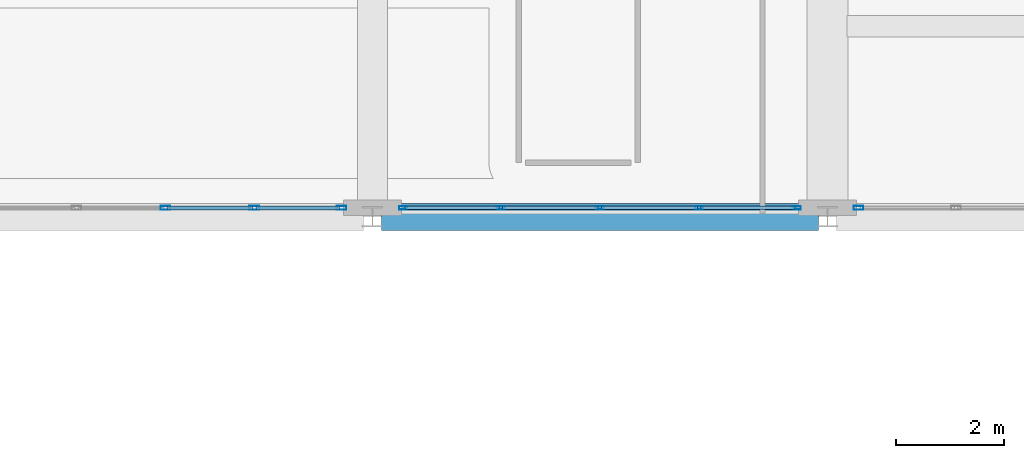
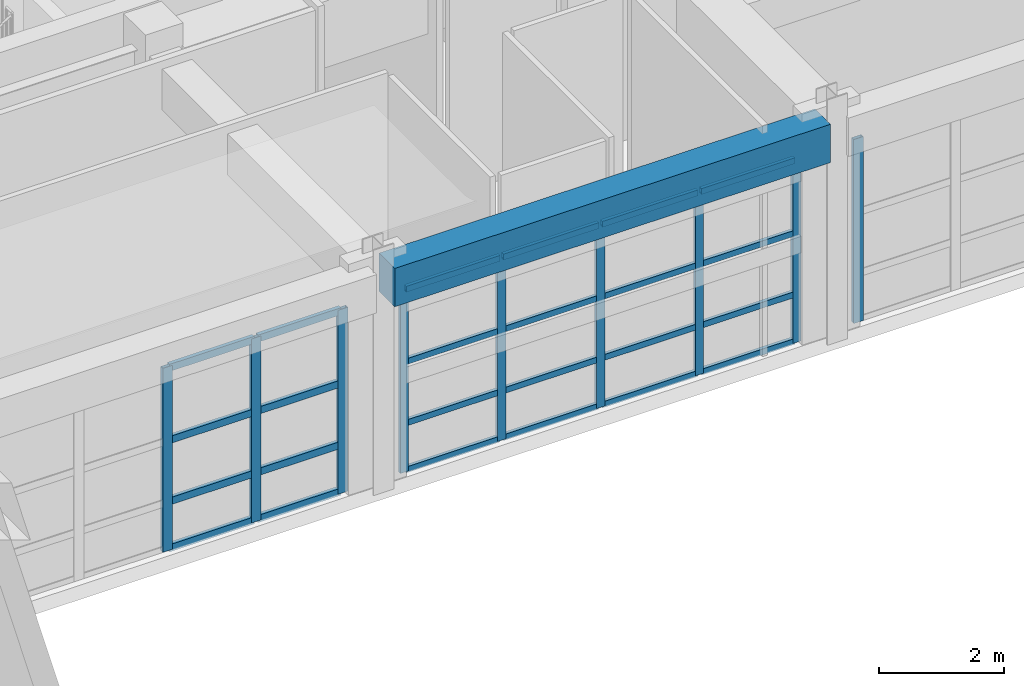
# One storey, part 60 of 123: 33 members, 1 beam, 3 elements without a shape of their own.
"""IFC4 building model written with IfcOpenShell, lengths in metres."""

from ifc_helpers import new_model, si_unit, direction, frame, origin, origin_2d, place, context, subcontext, project, spatial, rectangle, hollow_rectangle, extrude, material, layer, layer_set, material_profile, profile_set, type_object, element, aggregate, save


model = new_model("IFC4")

# Units and contexts
model_context = context("Model", 3, precision=1e-05, world=origin(), true_north=direction((0.0, 1.0)))
body_context = subcontext(model_context, "Body", "Model", "MODEL_VIEW")
ifc_project = project(units=[si_unit("LENGTHUNIT", "METRE"), si_unit("AREAUNIT", "SQUARE_METRE"), si_unit("VOLUMEUNIT", "CUBIC_METRE"), si_unit("PLANEANGLEUNIT", "RADIAN"), si_unit("MASSUNIT", "GRAM", prefix="KILO")], contexts=[model_context])

# Site, building, storey
site_placement = place(None, origin())
site = spatial("IfcSite", under=ifc_project, at=site_placement, CompositionType="ELEMENT")
building_placement = place(site_placement, origin())
building = spatial("IfcBuilding", under=site, at=building_placement, Name="Quendrovan Civic Courthouse", CompositionType="ELEMENT")
storey_placement = place(building_placement, frame((0.0, 0.0, 5.39990234375)))
storey = spatial("IfcBuildingStorey", under=building, at=storey_placement, Name="L02", CompositionType="ELEMENT", Elevation=5.39990234375)

# Beam
ifc_material_1 = material(Name="Concrete C40/50", Category="concrete")
ifc_material_profile_1 = material_profile(ifc_material_1, rectangle(XDim=0.5, YDim=0.75, at=origin_2d()), Name="RC-BM-500x750")
ifc_profile_set_1 = profile_set([ifc_material_profile_1], Name="Concrete C40/50")
beam_type = type_object("IfcBeamType", Name="BM-RC750", PredefinedType="SPANDREL", material=ifc_profile_set_1)
beam_placement = place(storey_placement, frame((117.76708984375, 87.60009765625, 3.985107421875), z_axis=(1.0, 0.0, 0.0), x_axis=(0.0, 1.0, 0.0)))
element("IfcBeam", 1, at=beam_placement, inside=storey, type_object=beam_type, Name="L02 Girder X0561", PredefinedType="SPANDREL", context=body_context, shape_type="SweptSolid", body=[
    extrude(rectangle(XDim=0.5, YDim=0.75, at=origin_2d()), origin(), (0.0, 0.0, 1.0), 8.06591796875),
])

# Curtain wall, member
ifc_material_2 = material(Name="Bronze anodised aluminium and low-E glass", Category="aluminium")
ifc_layer_1 = layer(ifc_material_2, 0.179931640625, Name="Bronze anodised aluminium and low-E glass")
ifc_layer_set_1 = layer_set([ifc_layer_1], Name="Bronze anodised aluminium and low-E glass")
curtain_wall_type_1 = type_object("IfcCurtainWallType", Name="CW-U73x36", PredefinedType="USERDEFINED", material=ifc_layer_set_1)
curtain_wall_1_placement = place(storey_placement, origin())
curtain_wall_1 = element("IfcCurtainWall", 2, at=curtain_wall_1_placement, inside=storey, type_object=curtain_wall_type_1, Name="L02 Unitised Hurricane Curtain Wall CW-102", ObjectType="UNITISED CURTAIN WALL", PredefinedType="USERDEFINED")
ifc_material_3 = material(Name="Bronze anodised aluminium", Category="aluminium")
ifc_material_profile_2 = material_profile(ifc_material_3, hollow_rectangle(XDim=0.070068359375, YDim=0.179931640625, WallThickness=0.00390625, at=origin_2d()), Name="CW-MULL-70x180")
ifc_profile_set_2 = profile_set([ifc_material_profile_2], Name="Bronze anodised aluminium")
member_type_1 = type_object("IfcMemberType", Name="CW-MULL-A", PredefinedType="MULLION", material=ifc_profile_set_2)
member_1_placement = place(storey_placement, frame((126.572021484375, 87.764892578125, 0.0), z_axis=(0.0, 0.0, 1.0), x_axis=(0.0, -1.0, 0.0)))
member_1 = element("IfcMember", 3, at=member_1_placement, type_object=member_type_1, Name="CW-102 mullion 5", PredefinedType="MULLION", context=body_context, shape_type="SweptSolid", body=[
    extrude(hollow_rectangle(XDim=0.070068359375, YDim=0.179931640625, WallThickness=0.00390625, at=origin_2d()), origin(), (0.0, 0.0, 1.0), 3.60009765625),
])
aggregate(curtain_wall_1, [member_1])

# Curtain wall, members
ifc_layer_2 = layer(ifc_material_2, 0.179931640625, Name="Bronze anodised aluminium and low-E glass")
ifc_layer_set_2 = layer_set([ifc_layer_2], Name="Bronze anodised aluminium and low-E glass")
curtain_wall_type_2 = type_object("IfcCurtainWallType", Name="CW-U66x36", PredefinedType="USERDEFINED", material=ifc_layer_set_2)
curtain_wall_2_placement = place(storey_placement, origin())
curtain_wall_2 = element("IfcCurtainWall", 4, at=curtain_wall_2_placement, inside=storey, type_object=curtain_wall_type_2, Name="L02 Unitised Hurricane Curtain Wall CW-104", ObjectType="UNITISED CURTAIN WALL", PredefinedType="USERDEFINED")
member_2_placement = place(storey_placement, frame((117.028076171875, 87.764892578125, 0.0), z_axis=(0.0, 0.0, 1.0), x_axis=(0.0, -1.0, 0.0)))
member_2 = element("IfcMember", 5, at=member_2_placement, type_object=member_type_1, Name="CW-104 mullion 1", PredefinedType="MULLION", context=body_context, shape_type="SweptSolid", body=[
    extrude(hollow_rectangle(XDim=0.070068359375, YDim=0.179931640625, WallThickness=0.00390625, at=origin_2d()), origin(), (0.0, 0.0, 1.0), 3.60009765625),
])
member_3_placement = place(storey_placement, frame((115.42236328125, 87.764892578125, 0.0), z_axis=(0.0, 0.0, 1.0), x_axis=(0.0, -1.0, 0.0)))
member_3 = element("IfcMember", 6, at=member_3_placement, type_object=member_type_1, Name="CW-104 mullion 2", PredefinedType="MULLION", context=body_context, shape_type="SweptSolid", body=[
    extrude(hollow_rectangle(XDim=0.070068359375, YDim=0.179931640625, WallThickness=0.00390625, at=origin_2d()), origin(), (0.0, 0.0, 1.0), 3.60009765625),
])
member_4_placement = place(storey_placement, frame((113.781494140625, 87.764892578125, 0.0), z_axis=(0.0, 0.0, 1.0), x_axis=(0.0, -1.0, 0.0)))
member_4 = element("IfcMember", 7, at=member_4_placement, type_object=member_type_1, Name="CW-104 mullion 3", PredefinedType="MULLION", context=body_context, shape_type="SweptSolid", body=[
    extrude(hollow_rectangle(XDim=0.070068359375, YDim=0.179931640625, WallThickness=0.00390625, at=origin_2d()), origin(), (0.0, 0.0, 1.0), 3.60009765625),
])

curtain_wall_3_placement = place(storey_placement, origin())
curtain_wall_3 = element("IfcCurtainWall", 8, at=curtain_wall_3_placement, inside=storey, type_object=curtain_wall_type_1, Name="L02 Unitised Hurricane Curtain Wall CW-103", ObjectType="UNITISED CURTAIN WALL", PredefinedType="USERDEFINED")
ifc_material_profile_3 = material_profile(ifc_material_3, hollow_rectangle(XDim=0.06494140625, YDim=0.14990234375, WallThickness=0.00390625, at=origin_2d()), Name="CW-MULL-65x150")
ifc_profile_set_3 = profile_set([ifc_material_profile_3], Name="Bronze anodised aluminium")
member_type_2 = type_object("IfcMemberType", Name="CW-MULL-B", PredefinedType="MULLION", material=ifc_profile_set_3)
member_5_placement = place(storey_placement, frame((125.430419921875, 87.764892578125, 0.0), z_axis=(0.0, 0.0, 1.0), x_axis=(0.0, -1.0, 0.0)))
member_5 = element("IfcMember", 9, at=member_5_placement, type_object=member_type_2, Name="CW-103 mullion 1", PredefinedType="MULLION", context=body_context, shape_type="SweptSolid", body=[
    extrude(hollow_rectangle(XDim=0.06494140625, YDim=0.14990234375, WallThickness=0.00390625, at=origin_2d()), origin(), (0.0, 0.0, 1.0), 3.60009765625),
])
member_6_placement = place(storey_placement, frame((123.631591796875, 87.764892578125, 0.0), z_axis=(0.0, 0.0, 1.0), x_axis=(0.0, -1.0, 0.0)))
member_6 = element("IfcMember", 10, at=member_6_placement, type_object=member_type_2, Name="CW-103 mullion 2", PredefinedType="MULLION", context=body_context, shape_type="SweptSolid", body=[
    extrude(hollow_rectangle(XDim=0.06494140625, YDim=0.14990234375, WallThickness=0.00390625, at=origin_2d()), origin(), (0.0, 0.0, 1.0), 3.60009765625),
])
member_7_placement = place(storey_placement, frame((121.800048828125, 87.764892578125, 0.0), z_axis=(0.0, 0.0, 1.0), x_axis=(0.0, -1.0, 0.0)))
member_7 = element("IfcMember", 11, at=member_7_placement, type_object=member_type_2, Name="CW-103 mullion 3", PredefinedType="MULLION", context=body_context, shape_type="SweptSolid", body=[
    extrude(hollow_rectangle(XDim=0.06494140625, YDim=0.14990234375, WallThickness=0.00390625, at=origin_2d()), origin(), (0.0, 0.0, 1.0), 3.60009765625),
])
member_8_placement = place(storey_placement, frame((119.968505859375, 87.764892578125, 0.0), z_axis=(0.0, 0.0, 1.0), x_axis=(0.0, -1.0, 0.0)))
member_8 = element("IfcMember", 12, at=member_8_placement, type_object=member_type_2, Name="CW-103 mullion 4", PredefinedType="MULLION", context=body_context, shape_type="SweptSolid", body=[
    extrude(hollow_rectangle(XDim=0.06494140625, YDim=0.14990234375, WallThickness=0.00390625, at=origin_2d()), origin(), (0.0, 0.0, 1.0), 3.60009765625),
])
member_9_placement = place(storey_placement, frame((118.16943359375, 87.764892578125, 0.0), z_axis=(0.0, 0.0, 1.0), x_axis=(0.0, -1.0, 0.0)))
member_9 = element("IfcMember", 13, at=member_9_placement, type_object=member_type_2, Name="CW-103 mullion 5", PredefinedType="MULLION", context=body_context, shape_type="SweptSolid", body=[
    extrude(hollow_rectangle(XDim=0.06494140625, YDim=0.14990234375, WallThickness=0.00390625, at=origin_2d()), origin(), (0.0, 0.0, 1.0), 3.60009765625),
])

# Member
ifc_material_profile_4 = material_profile(ifc_material_3, hollow_rectangle(XDim=0.070068359375, YDim=0.139892578125, WallThickness=0.00390625, at=origin_2d()), Name="CW-TRAN-70x140")
ifc_profile_set_4 = profile_set([ifc_material_profile_4], Name="Bronze anodised aluminium")
member_type_3 = type_object("IfcMemberType", Name="CW-TRAN-A", PredefinedType="USERDEFINED", material=ifc_profile_set_4)
member_10_placement = place(storey_placement, frame((116.992919921875, 87.764892578125, 0.03515625), z_axis=(-1.0, 0.0, 0.0), x_axis=(0.0, -1.0, 0.0)))
member_10 = element("IfcMember", 14, at=member_10_placement, type_object=member_type_3, Name="CW-104 transom 1.1", ObjectType="TRANSOM", PredefinedType="USERDEFINED", context=body_context, shape_type="SweptSolid", body=[
    extrude(hollow_rectangle(XDim=0.070068359375, YDim=0.139892578125, WallThickness=0.00390625, at=origin_2d()), origin(), (0.0, 0.0, 1.0), 1.53564453125),
])

member_11_placement = place(storey_placement, frame((116.992919921875, 87.764892578125, 0.9501953125), z_axis=(-1.0, 0.0, 0.0), x_axis=(0.0, -1.0, 0.0)))
member_11 = element("IfcMember", 15, at=member_11_placement, type_object=member_type_3, Name="CW-104 transom 1.2", ObjectType="TRANSOM", PredefinedType="USERDEFINED", context=body_context, shape_type="SweptSolid", body=[
    extrude(hollow_rectangle(XDim=0.070068359375, YDim=0.139892578125, WallThickness=0.00390625, at=origin_2d()), origin(), (0.0, 0.0, 1.0), 1.53564453125),
])

member_12_placement = place(storey_placement, frame((116.992919921875, 87.764892578125, 2.150146484375), z_axis=(-1.0, 0.0, 0.0), x_axis=(0.0, -1.0, 0.0)))
member_12 = element("IfcMember", 16, at=member_12_placement, type_object=member_type_3, Name="CW-104 transom 1.3", ObjectType="TRANSOM", PredefinedType="USERDEFINED", context=body_context, shape_type="SweptSolid", body=[
    extrude(hollow_rectangle(XDim=0.070068359375, YDim=0.139892578125, WallThickness=0.00390625, at=origin_2d()), origin(), (0.0, 0.0, 1.0), 1.53564453125),
])

member_13_placement = place(storey_placement, frame((116.992919921875, 87.764892578125, 3.565185546875), z_axis=(-1.0, 0.0, 0.0), x_axis=(0.0, -1.0, 0.0)))
member_13 = element("IfcMember", 17, at=member_13_placement, type_object=member_type_3, Name="CW-104 transom 1.4", ObjectType="TRANSOM", PredefinedType="USERDEFINED", context=body_context, shape_type="SweptSolid", body=[
    extrude(hollow_rectangle(XDim=0.070068359375, YDim=0.139892578125, WallThickness=0.00390625, at=origin_2d()), origin(), (0.0, 0.0, 1.0), 1.53564453125),
])

member_14_placement = place(storey_placement, frame((115.38720703125, 87.764892578125, 0.03515625), z_axis=(-1.0, 0.0, 0.0), x_axis=(0.0, -1.0, 0.0)))
member_14 = element("IfcMember", 18, at=member_14_placement, type_object=member_type_3, Name="CW-104 transom 2.1", ObjectType="TRANSOM", PredefinedType="USERDEFINED", context=body_context, shape_type="SweptSolid", body=[
    extrude(hollow_rectangle(XDim=0.070068359375, YDim=0.139892578125, WallThickness=0.00390625, at=origin_2d()), origin(), (0.0, 0.0, 1.0), 1.57080078125),
])

member_15_placement = place(storey_placement, frame((115.38720703125, 87.764892578125, 0.9501953125), z_axis=(-1.0, 0.0, 0.0), x_axis=(0.0, -1.0, 0.0)))
member_15 = element("IfcMember", 19, at=member_15_placement, type_object=member_type_3, Name="CW-104 transom 2.2", ObjectType="TRANSOM", PredefinedType="USERDEFINED", context=body_context, shape_type="SweptSolid", body=[
    extrude(hollow_rectangle(XDim=0.070068359375, YDim=0.139892578125, WallThickness=0.00390625, at=origin_2d()), origin(), (0.0, 0.0, 1.0), 1.57080078125),
])

member_16_placement = place(storey_placement, frame((115.38720703125, 87.764892578125, 2.150146484375), z_axis=(-1.0, 0.0, 0.0), x_axis=(0.0, -1.0, 0.0)))
member_16 = element("IfcMember", 20, at=member_16_placement, type_object=member_type_3, Name="CW-104 transom 2.3", ObjectType="TRANSOM", PredefinedType="USERDEFINED", context=body_context, shape_type="SweptSolid", body=[
    extrude(hollow_rectangle(XDim=0.070068359375, YDim=0.139892578125, WallThickness=0.00390625, at=origin_2d()), origin(), (0.0, 0.0, 1.0), 1.57080078125),
])

member_17_placement = place(storey_placement, frame((115.38720703125, 87.764892578125, 3.565185546875), z_axis=(-1.0, 0.0, 0.0), x_axis=(0.0, -1.0, 0.0)))
member_17 = element("IfcMember", 21, at=member_17_placement, type_object=member_type_3, Name="CW-104 transom 2.4", ObjectType="TRANSOM", PredefinedType="USERDEFINED", context=body_context, shape_type="SweptSolid", body=[
    extrude(hollow_rectangle(XDim=0.070068359375, YDim=0.139892578125, WallThickness=0.00390625, at=origin_2d()), origin(), (0.0, 0.0, 1.0), 1.57080078125),
])

aggregate(curtain_wall_2, [member_2, member_3, member_4, member_10, member_11, member_12, member_13, member_14, member_15, member_16, member_17])

ifc_material_profile_5 = material_profile(ifc_material_3, hollow_rectangle(XDim=0.06494140625, YDim=0.114990234375, WallThickness=0.00390625, at=origin_2d()), Name="CW-TRAN-65x115")
ifc_profile_set_5 = profile_set([ifc_material_profile_5], Name="Bronze anodised aluminium")
member_type_4 = type_object("IfcMemberType", Name="CW-TRAN-B", PredefinedType="USERDEFINED", material=ifc_profile_set_5)
member_18_placement = place(storey_placement, frame((125.39794921875, 87.764892578125, 0.03271484375), z_axis=(-1.0, 0.0, 0.0), x_axis=(0.0, -1.0, 0.0)))
member_18 = element("IfcMember", 22, at=member_18_placement, type_object=member_type_4, Name="CW-103 transom 1.1", ObjectType="TRANSOM", PredefinedType="USERDEFINED", context=body_context, shape_type="SweptSolid", body=[
    extrude(hollow_rectangle(XDim=0.06494140625, YDim=0.114990234375, WallThickness=0.00390625, at=origin_2d()), origin(), (0.0, 0.0, 1.0), 1.73388671875),
])

member_19_placement = place(storey_placement, frame((125.39794921875, 87.764892578125, 0.9501953125), z_axis=(-1.0, 0.0, 0.0), x_axis=(0.0, -1.0, 0.0)))
member_19 = element("IfcMember", 23, at=member_19_placement, type_object=member_type_4, Name="CW-103 transom 1.2", ObjectType="TRANSOM", PredefinedType="USERDEFINED", context=body_context, shape_type="SweptSolid", body=[
    extrude(hollow_rectangle(XDim=0.06494140625, YDim=0.114990234375, WallThickness=0.00390625, at=origin_2d()), origin(), (0.0, 0.0, 1.0), 1.73388671875),
])

member_20_placement = place(storey_placement, frame((125.39794921875, 87.764892578125, 2.150146484375), z_axis=(-1.0, 0.0, 0.0), x_axis=(0.0, -1.0, 0.0)))
member_20 = element("IfcMember", 24, at=member_20_placement, type_object=member_type_4, Name="CW-103 transom 1.3", ObjectType="TRANSOM", PredefinedType="USERDEFINED", context=body_context, shape_type="SweptSolid", body=[
    extrude(hollow_rectangle(XDim=0.06494140625, YDim=0.114990234375, WallThickness=0.00390625, at=origin_2d()), origin(), (0.0, 0.0, 1.0), 1.73388671875),
])

member_21_placement = place(storey_placement, frame((125.39794921875, 87.764892578125, 3.567626953125), z_axis=(-1.0, 0.0, 0.0), x_axis=(0.0, -1.0, 0.0)))
member_21 = element("IfcMember", 25, at=member_21_placement, type_object=member_type_4, Name="CW-103 transom 1.4", ObjectType="TRANSOM", PredefinedType="USERDEFINED", context=body_context, shape_type="SweptSolid", body=[
    extrude(hollow_rectangle(XDim=0.06494140625, YDim=0.114990234375, WallThickness=0.00390625, at=origin_2d()), origin(), (0.0, 0.0, 1.0), 1.73388671875),
])

member_22_placement = place(storey_placement, frame((123.59912109375, 87.764892578125, 0.03271484375), z_axis=(-1.0, 0.0, 0.0), x_axis=(0.0, -1.0, 0.0)))
member_22 = element("IfcMember", 26, at=member_22_placement, type_object=member_type_4, Name="CW-103 transom 2.1", ObjectType="TRANSOM", PredefinedType="USERDEFINED", context=body_context, shape_type="SweptSolid", body=[
    extrude(hollow_rectangle(XDim=0.06494140625, YDim=0.114990234375, WallThickness=0.00390625, at=origin_2d()), origin(), (0.0, 0.0, 1.0), 1.7666015625),
])

member_23_placement = place(storey_placement, frame((123.59912109375, 87.764892578125, 0.9501953125), z_axis=(-1.0, 0.0, 0.0), x_axis=(0.0, -1.0, 0.0)))
member_23 = element("IfcMember", 27, at=member_23_placement, type_object=member_type_4, Name="CW-103 transom 2.2", ObjectType="TRANSOM", PredefinedType="USERDEFINED", context=body_context, shape_type="SweptSolid", body=[
    extrude(hollow_rectangle(XDim=0.06494140625, YDim=0.114990234375, WallThickness=0.00390625, at=origin_2d()), origin(), (0.0, 0.0, 1.0), 1.7666015625),
])

member_24_placement = place(storey_placement, frame((123.59912109375, 87.764892578125, 2.150146484375), z_axis=(-1.0, 0.0, 0.0), x_axis=(0.0, -1.0, 0.0)))
member_24 = element("IfcMember", 28, at=member_24_placement, type_object=member_type_4, Name="CW-103 transom 2.3", ObjectType="TRANSOM", PredefinedType="USERDEFINED", context=body_context, shape_type="SweptSolid", body=[
    extrude(hollow_rectangle(XDim=0.06494140625, YDim=0.114990234375, WallThickness=0.00390625, at=origin_2d()), origin(), (0.0, 0.0, 1.0), 1.7666015625),
])

member_25_placement = place(storey_placement, frame((123.59912109375, 87.764892578125, 3.567626953125), z_axis=(-1.0, 0.0, 0.0), x_axis=(0.0, -1.0, 0.0)))
member_25 = element("IfcMember", 29, at=member_25_placement, type_object=member_type_4, Name="CW-103 transom 2.4", ObjectType="TRANSOM", PredefinedType="USERDEFINED", context=body_context, shape_type="SweptSolid", body=[
    extrude(hollow_rectangle(XDim=0.06494140625, YDim=0.114990234375, WallThickness=0.00390625, at=origin_2d()), origin(), (0.0, 0.0, 1.0), 1.7666015625),
])

member_26_placement = place(storey_placement, frame((121.767578125, 87.764892578125, 0.03271484375), z_axis=(-1.0, 0.0, 0.0), x_axis=(0.0, -1.0, 0.0)))
member_26 = element("IfcMember", 30, at=member_26_placement, type_object=member_type_4, Name="CW-103 transom 3.1", ObjectType="TRANSOM", PredefinedType="USERDEFINED", context=body_context, shape_type="SweptSolid", body=[
    extrude(hollow_rectangle(XDim=0.06494140625, YDim=0.114990234375, WallThickness=0.00390625, at=origin_2d()), origin(), (0.0, 0.0, 1.0), 1.7666015625),
])

member_27_placement = place(storey_placement, frame((121.767578125, 87.764892578125, 0.9501953125), z_axis=(-1.0, 0.0, 0.0), x_axis=(0.0, -1.0, 0.0)))
member_27 = element("IfcMember", 31, at=member_27_placement, type_object=member_type_4, Name="CW-103 transom 3.2", ObjectType="TRANSOM", PredefinedType="USERDEFINED", context=body_context, shape_type="SweptSolid", body=[
    extrude(hollow_rectangle(XDim=0.06494140625, YDim=0.114990234375, WallThickness=0.00390625, at=origin_2d()), origin(), (0.0, 0.0, 1.0), 1.7666015625),
])

member_28_placement = place(storey_placement, frame((121.767578125, 87.764892578125, 2.150146484375), z_axis=(-1.0, 0.0, 0.0), x_axis=(0.0, -1.0, 0.0)))
member_28 = element("IfcMember", 32, at=member_28_placement, type_object=member_type_4, Name="CW-103 transom 3.3", ObjectType="TRANSOM", PredefinedType="USERDEFINED", context=body_context, shape_type="SweptSolid", body=[
    extrude(hollow_rectangle(XDim=0.06494140625, YDim=0.114990234375, WallThickness=0.00390625, at=origin_2d()), origin(), (0.0, 0.0, 1.0), 1.7666015625),
])

member_29_placement = place(storey_placement, frame((121.767578125, 87.764892578125, 3.567626953125), z_axis=(-1.0, 0.0, 0.0), x_axis=(0.0, -1.0, 0.0)))
member_29 = element("IfcMember", 33, at=member_29_placement, type_object=member_type_4, Name="CW-103 transom 3.4", ObjectType="TRANSOM", PredefinedType="USERDEFINED", context=body_context, shape_type="SweptSolid", body=[
    extrude(hollow_rectangle(XDim=0.06494140625, YDim=0.114990234375, WallThickness=0.00390625, at=origin_2d()), origin(), (0.0, 0.0, 1.0), 1.7666015625),
])

member_30_placement = place(storey_placement, frame((119.93603515625, 87.764892578125, 0.03271484375), z_axis=(-1.0, 0.0, 0.0), x_axis=(0.0, -1.0, 0.0)))
member_30 = element("IfcMember", 34, at=member_30_placement, type_object=member_type_4, Name="CW-103 transom 4.1", ObjectType="TRANSOM", PredefinedType="USERDEFINED", context=body_context, shape_type="SweptSolid", body=[
    extrude(hollow_rectangle(XDim=0.06494140625, YDim=0.114990234375, WallThickness=0.00390625, at=origin_2d()), origin(), (0.0, 0.0, 1.0), 1.734130859375),
])

member_31_placement = place(storey_placement, frame((119.93603515625, 87.764892578125, 0.9501953125), z_axis=(-1.0, 0.0, 0.0), x_axis=(0.0, -1.0, 0.0)))
member_31 = element("IfcMember", 35, at=member_31_placement, type_object=member_type_4, Name="CW-103 transom 4.2", ObjectType="TRANSOM", PredefinedType="USERDEFINED", context=body_context, shape_type="SweptSolid", body=[
    extrude(hollow_rectangle(XDim=0.06494140625, YDim=0.114990234375, WallThickness=0.00390625, at=origin_2d()), origin(), (0.0, 0.0, 1.0), 1.734130859375),
])

member_32_placement = place(storey_placement, frame((119.93603515625, 87.764892578125, 2.150146484375), z_axis=(-1.0, 0.0, 0.0), x_axis=(0.0, -1.0, 0.0)))
member_32 = element("IfcMember", 36, at=member_32_placement, type_object=member_type_4, Name="CW-103 transom 4.3", ObjectType="TRANSOM", PredefinedType="USERDEFINED", context=body_context, shape_type="SweptSolid", body=[
    extrude(hollow_rectangle(XDim=0.06494140625, YDim=0.114990234375, WallThickness=0.00390625, at=origin_2d()), origin(), (0.0, 0.0, 1.0), 1.734130859375),
])

member_33_placement = place(storey_placement, frame((119.93603515625, 87.764892578125, 3.567626953125), z_axis=(-1.0, 0.0, 0.0), x_axis=(0.0, -1.0, 0.0)))
member_33 = element("IfcMember", 37, at=member_33_placement, type_object=member_type_4, Name="CW-103 transom 4.4", ObjectType="TRANSOM", PredefinedType="USERDEFINED", context=body_context, shape_type="SweptSolid", body=[
    extrude(hollow_rectangle(XDim=0.06494140625, YDim=0.114990234375, WallThickness=0.00390625, at=origin_2d()), origin(), (0.0, 0.0, 1.0), 1.734130859375),
])

aggregate(curtain_wall_3, [member_5, member_6, member_7, member_8, member_9, member_18, member_19, member_20, member_21, member_22, member_23, member_24, member_25, member_26, member_27, member_28, member_29, member_30, member_31, member_32, member_33])

save(model, "model.ifc")
